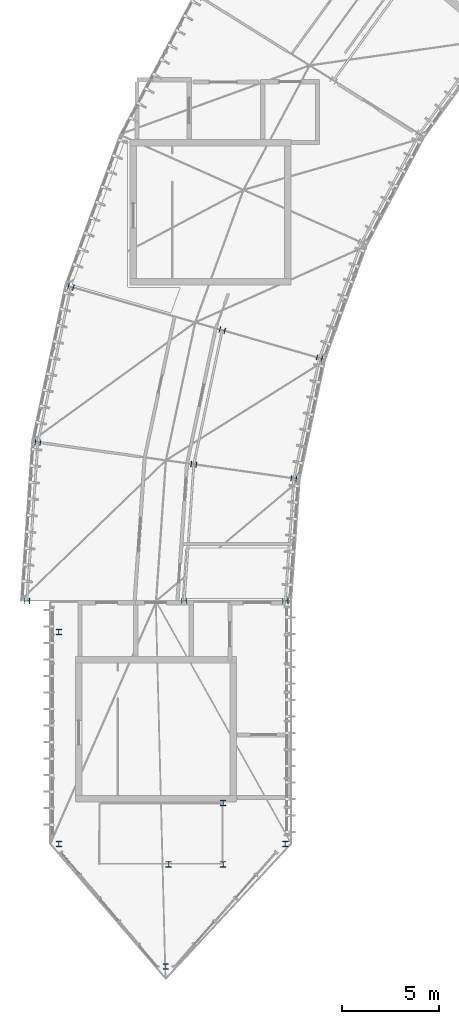
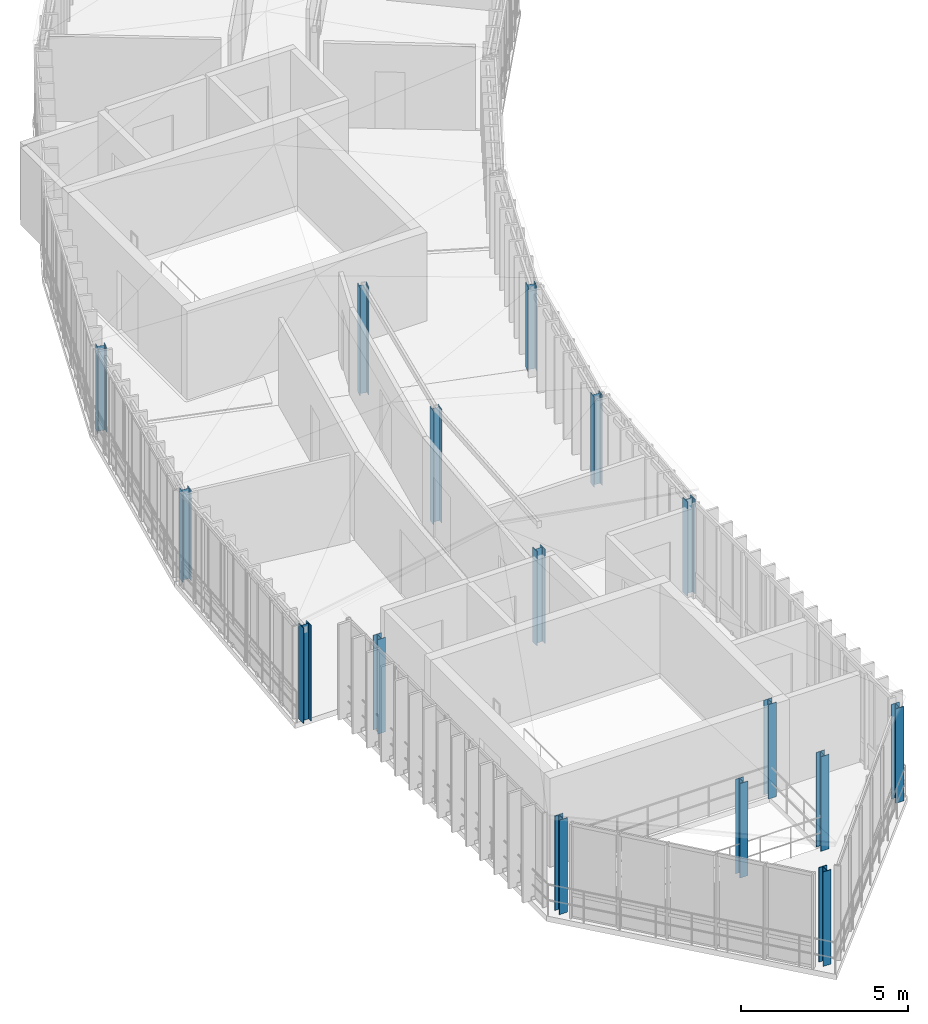
# One storey, part 1 of 18: 16 columns.
"""IFC4 building model written with IfcOpenShell, lengths in metres."""

from ifc_helpers import new_model, si_unit, direction, frame, origin, origin_2d, place, context, subcontext, project, spatial, i_section, extrude, material, material_profile, profile_set, type_object, element, save


model = new_model("IFC4")

# Units and contexts
model_context = context("Model", 3, precision=1e-05, world=origin(), true_north=direction((0.0, 1.0)))
body_context = subcontext(model_context, "Body", "Model", "MODEL_VIEW")
ifc_project = project(units=[si_unit("LENGTHUNIT", "METRE"), si_unit("AREAUNIT", "SQUARE_METRE"), si_unit("VOLUMEUNIT", "CUBIC_METRE"), si_unit("PLANEANGLEUNIT", "RADIAN"), si_unit("MASSUNIT", "GRAM", prefix="KILO"), si_unit("THERMODYNAMICTEMPERATUREUNIT", "KELVIN"), si_unit("POWERUNIT", "WATT")], contexts=[model_context])

# Site, building, storey
site_placement = place(None, origin())
site = spatial("IfcSite", under=ifc_project, at=site_placement, CompositionType="ELEMENT")
building_placement = place(site_placement, origin())
building = spatial("IfcBuilding", under=site, at=building_placement, Name="Solvatero Civic Police Headquarters", CompositionType="ELEMENT")
storey_placement = place(building_placement, frame((0.0, 0.0, 29.39990234375)))
storey = spatial("IfcBuildingStorey", under=building, at=storey_placement, Name="L07", CompositionType="ELEMENT", Elevation=29.39990234375)

# Columns
ifc_material = material(Name="Steel S355", Category="steel")
ifc_material_profile = material_profile(ifc_material, i_section(OverallWidth=0.280029296875, OverallDepth=0.280029296875, WebThickness=0.010498046875, FlangeThickness=0.01806640625, FilletRadius=0.02392578125, at=origin_2d()), Name="HEB 280")
ifc_profile_set = profile_set([ifc_material_profile], Name="Steel S355")
column_type = type_object("IfcColumnType", Name="COL-ST-HEB280", PredefinedType="COLUMN", material=ifc_profile_set)
column_1_placement = place(storey_placement, frame((50.40673828125, 38.500244140625, 0.0), z_axis=(0.0, 0.0, 1.0), x_axis=(0.275637355817, 0.961261695938, 0.0)))
element("IfcColumn", 1, at=column_1_placement, inside=storey, type_object=column_type, Name="Column ARC-S10-IN L07", PredefinedType="COLUMN", context=body_context, shape_type="SweptSolid", body=[
    extrude(i_section(OverallWidth=0.280029296875, OverallDepth=0.280029296875, WebThickness=0.010498046875, FlangeThickness=0.01806640625, FilletRadius=0.02392578125, at=origin_2d()), origin(), (0.0, 0.0, 1.0), 3.107666015625),
])
column_2_placement = place(storey_placement, frame((45.408203125, 39.93359375, 0.0), z_axis=(0.0, 0.0, 1.0), x_axis=(0.275637355817, 0.961261695938, 0.0)))
element("IfcColumn", 2, at=column_2_placement, inside=storey, type_object=column_type, Name="Column ARC-S10-MID L07", PredefinedType="COLUMN", context=body_context, shape_type="SweptSolid", body=[
    extrude(i_section(OverallWidth=0.280029296875, OverallDepth=0.280029296875, WebThickness=0.010498046875, FlangeThickness=0.01806640625, FilletRadius=0.02392578125, at=origin_2d()), origin(), (0.0, 0.0, 1.0), 3.9619140625),
])
column_3_placement = place(storey_placement, frame((37.6220703125, 42.166015625, 0.0), z_axis=(0.0, 0.0, 1.0), x_axis=(0.275637355817, 0.961261695938, 0.0)))
element("IfcColumn", 3, at=column_3_placement, inside=storey, type_object=column_type, Name="Column ARC-S10-OUT L07", PredefinedType="COLUMN", context=body_context, shape_type="SweptSolid", body=[
    extrude(i_section(OverallWidth=0.280029296875, OverallDepth=0.280029296875, WebThickness=0.010498046875, FlangeThickness=0.01806640625, FilletRadius=0.02392578125, at=origin_2d()), origin(), (0.0, 0.0, 1.0), 3.107666015625),
])
column_4_placement = place(storey_placement, frame((49.09130859375, 32.3115234375, 0.0), z_axis=(0.0, 0.0, 1.0), x_axis=(0.13917310096, 0.990268068742, 0.0)))
element("IfcColumn", 4, at=column_4_placement, inside=storey, type_object=column_type, Name="Column ARC-S11-IN L07", PredefinedType="COLUMN", context=body_context, shape_type="SweptSolid", body=[
    extrude(i_section(OverallWidth=0.280029296875, OverallDepth=0.280029296875, WebThickness=0.010498046875, FlangeThickness=0.01806640625, FilletRadius=0.02392578125, at=origin_2d()), origin(), (0.0, 0.0, 1.0), 3.3076171875),
])
column_5_placement = place(storey_placement, frame((43.94189453125, 33.03515625, 0.0), z_axis=(0.0, 0.0, 1.0), x_axis=(0.13917310096, 0.990268068742, 0.0)))
element("IfcColumn", 5, at=column_5_placement, inside=storey, type_object=column_type, Name="Column ARC-S11-MID L07", PredefinedType="COLUMN", context=body_context, shape_type="SweptSolid", body=[
    extrude(i_section(OverallWidth=0.280029296875, OverallDepth=0.280029296875, WebThickness=0.010498046875, FlangeThickness=0.01806640625, FilletRadius=0.02392578125, at=origin_2d()), origin(), (0.0, 0.0, 1.0), 4.161865234375),
])
column_6_placement = place(storey_placement, frame((35.9208984375, 34.16259765625, 0.0), z_axis=(0.0, 0.0, 1.0), x_axis=(0.13917310096, 0.990268068742, 0.0)))
element("IfcColumn", 6, at=column_6_placement, inside=storey, type_object=column_type, Name="Column ARC-S11-OUT L07", PredefinedType="COLUMN", context=body_context, shape_type="SweptSolid", body=[
    extrude(i_section(OverallWidth=0.280029296875, OverallDepth=0.280029296875, WebThickness=0.010498046875, FlangeThickness=0.01806640625, FilletRadius=0.02392578125, at=origin_2d()), origin(), (0.0, 0.0, 1.0), 3.3076171875),
])
for number, where, z_axis, x_axis, name in (
    (7, (48.64990234375, 26.0, 0.0), (0.0, 0.0, 1.0), (0.0, 1.0, 0.0), "Column ARC-S12-IN L07"),
    (8, (43.449951171875, 26.0, 0.0), (0.0, 0.0, 1.0), (0.0, 1.0, 0.0), "Column ARC-S12-MID L07"),
):
    element("IfcColumn", number, at=place(storey_placement, frame(where, z_axis=z_axis, x_axis=x_axis)), inside=storey, type_object=column_type, Name=name, PredefinedType="COLUMN", context=body_context, shape_type="SweptSolid", body=[
        extrude(i_section(OverallWidth=0.280029296875, OverallDepth=0.280029296875, WebThickness=0.010498046875, FlangeThickness=0.01806640625, FilletRadius=0.02392578125, at=origin_2d()), origin(), (0.0, 0.0, 1.0), 3.460205078125),
    ])
column_7_placement = place(storey_placement, frame((35.35009765625, 26.0, 0.0), z_axis=(0.0, 0.0, 1.0), x_axis=(0.0, 1.0, 0.0)))
element("IfcColumn", 9, at=column_7_placement, inside=storey, type_object=column_type, Name="Column ARC-S12-OUT L07", PredefinedType="COLUMN", context=body_context, shape_type="SweptSolid", body=[
    extrude(i_section(OverallWidth=0.280029296875, OverallDepth=0.280029296875, WebThickness=0.010498046875, FlangeThickness=0.01806640625, FilletRadius=0.02392578125, at=origin_2d()), origin(), (0.0, 0.0, 1.0), 3.507568359375),
])
for number, where, z_axis, x_axis, name in (
    (10, (37.0, 24.39990234375, 0.0), (0.0, 0.0, 1.0), (1.0, 0.0, 0.0), "Column PROW-NW L07"),
    (11, (48.64990234375, 13.5, 0.0), (0.0, 0.0, 1.0), (1.0, 0.0, 0.0), "Column PROW-SE L07"),
    (12, (37.0, 13.5, 0.0), (0.0, 0.0, 1.0), (1.0, 0.0, 0.0), "Column PROW-SW L07"),
    (13, (42.5, 7.199951171875, 0.0), (0.0, 0.0, 1.0), (1.0, 0.0, 0.0), "Column PROW-TIP L07"),
    (14, (42.64990234375, 12.449951171875, 0.0), (0.0, 0.0, 1.0), (1.0, 0.0, 0.0), "Column PRWS1 L07"),
    (15, (45.449951171875, 12.449951171875, 0.0), (0.0, 0.0, 1.0), (1.0, 0.0, 0.0), "Column PRWS2 L07"),
    (16, (45.449951171875, 15.60009765625, 0.0), (0.0, 0.0, 1.0), (1.0, 0.0, 0.0), "Column PRWS3 L07"),
):
    element("IfcColumn", number, at=place(storey_placement, frame(where, z_axis=z_axis, x_axis=x_axis)), inside=storey, type_object=column_type, Name=name, PredefinedType="COLUMN", context=body_context, shape_type="SweptSolid", body=[
        extrude(i_section(OverallWidth=0.280029296875, OverallDepth=0.280029296875, WebThickness=0.010498046875, FlangeThickness=0.01806640625, FilletRadius=0.02392578125, at=origin_2d()), origin(), (0.0, 0.0, 1.0), 3.460205078125),
    ])

save(model, "model.ifc")
